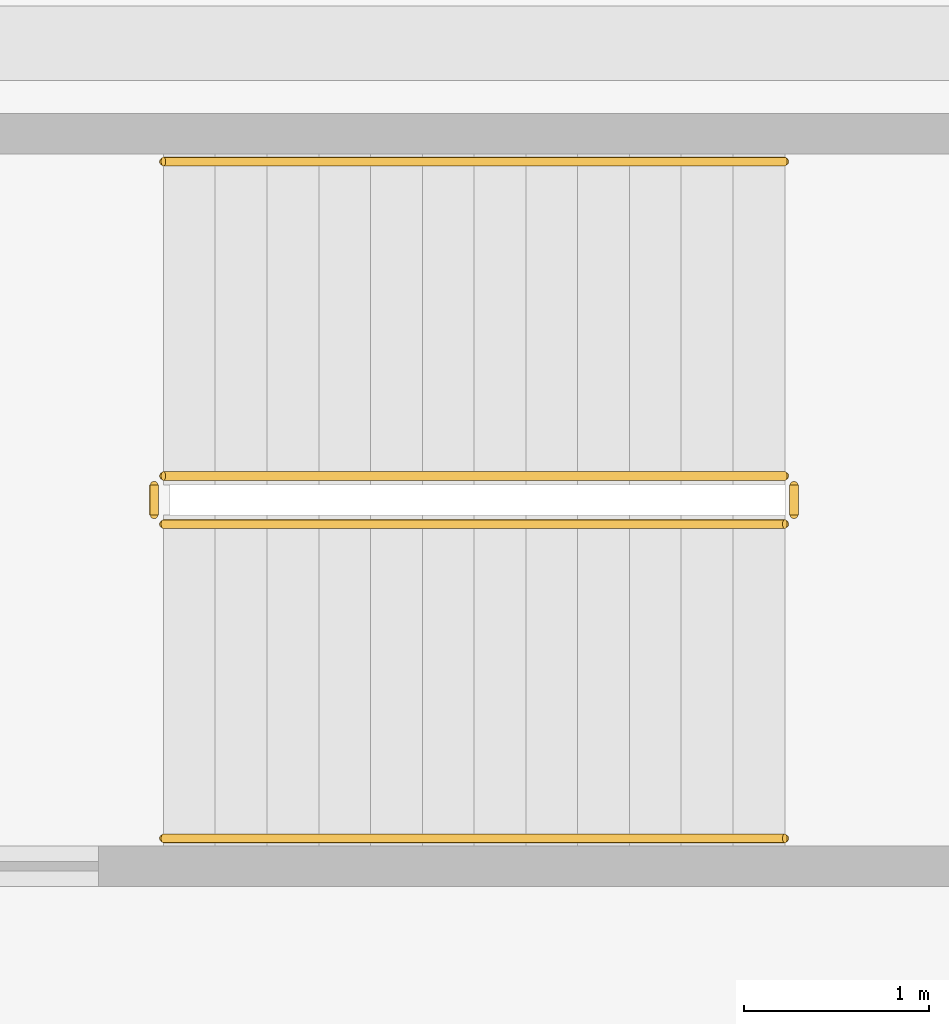
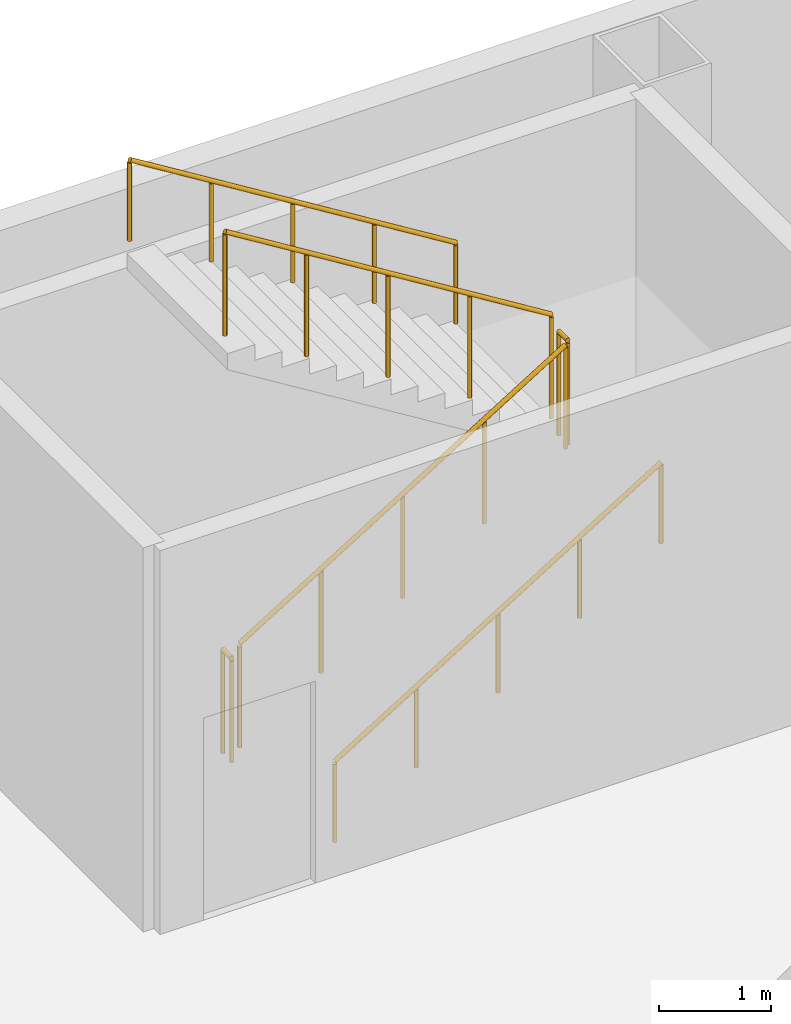
# One storey, part 26 of 26: 6 railings.
"""IFC4 building model written with IfcOpenShell, lengths in metres."""

import ifcopenshell
import ifcopenshell.guid

model = None  # the IFC model being written
_history = None  # IfcOwnerHistory: only IFC2X3 demands one
_inside = {}  # id of a spatial element -> (the spatial element, [elements in it])
_under = {}  # id of a project, library or spatial element -> (it, [spatial elements below it])
_declared = {}  # id of a project -> (the project, [libraries it declares])
_typed = {}  # id of a type object -> (the type object, [elements of that type])
_made_of = {}  # id of a material, layer set ... -> (it, [elements and type objects made of it])


def new_model(schema):
    """Start an empty IFC model of exactly this schema.

    Asked for "IFC4X3", IfcOpenShell would pick the latest addendum, in which some entities
    have other attributes; the version numbers below select the first issue.
    IFC2X3 requires an IfcOwnerHistory on every rooted entity: one is made here for all.
    """
    global model, _history
    if schema == "IFC4X3":
        model = ifcopenshell.file(schema_version=(4, 3, 0, 0))
    else:
        model = ifcopenshell.file(schema=schema)
    _inside.clear()
    _under.clear()
    _declared.clear()
    _typed.clear()
    _made_of.clear()
    _history = None
    if model.schema == "IFC2X3":
        org = make("IfcOrganization", Name="unknown")
        user = make(
            "IfcPersonAndOrganization",
            ThePerson=make("IfcPerson", FamilyName="unknown"),
            TheOrganization=org,
        )
        app = make(
            "IfcApplication",
            ApplicationDeveloper=org,
            Version="unknown",
            ApplicationFullName="unknown",
            ApplicationIdentifier="unknown",
        )
        _history = make(
            "IfcOwnerHistory",
            OwningUser=user,
            OwningApplication=app,
            ChangeAction="ADDED",
            CreationDate=0,
        )
    return model


def make(cls, **values):
    """One entity of the class cls with the attributes given. An attribute that is None is left unset."""
    return model.create_entity(
        cls, **{name: value for name, value in values.items() if value is not None}
    )


def rooted(cls, **values):
    """An entity with a GlobalId (a new one), such as an element, a storey or a relation."""
    return make(cls, GlobalId=ifcopenshell.guid.new(), OwnerHistory=_history, **values)


def si_unit(unit_type, name, prefix=None):
    """IfcSIUnit, for example si_unit("LENGTHUNIT", "METRE", prefix="MILLI")."""
    return make("IfcSIUnit", UnitType=unit_type, Prefix=prefix, Name=name)


def assignment(units):
    """IfcUnitAssignment: the units of a project."""
    return None if units is None else make("IfcUnitAssignment", Units=units)


def point(xyz):
    """IfcCartesianPoint."""
    return None if xyz is None else make("IfcCartesianPoint", Coordinates=xyz)


def direction(xyz):
    """IfcDirection."""
    return None if xyz is None else make("IfcDirection", DirectionRatios=xyz)


def frame(location, z_axis=None, x_axis=None):
    """IfcAxis2Placement3D, a coordinate frame: its origin and axes. An axis left out is left unset."""
    return make(
        "IfcAxis2Placement3D",
        Location=point(location),
        Axis=direction(z_axis),
        RefDirection=direction(x_axis),
    )


def frame_2d(location, x_axis=None):
    """IfcAxis2Placement2D, a coordinate frame in the plane: its origin and x axis."""
    return make(
        "IfcAxis2Placement2D", Location=point(location), RefDirection=direction(x_axis)
    )


def origin():
    """The frame at (0, 0, 0) with its axes left unset."""
    return frame((0.0, 0.0, 0.0))


def origin_2d():
    """The frame at (0, 0) in the plane with its x axis left unset."""
    return frame_2d((0.0, 0.0))


def place(relative_to, where):
    """IfcLocalPlacement: puts the frame where relative to a parent placement (None: the world)."""
    return make(
        "IfcLocalPlacement", PlacementRelTo=relative_to, RelativePlacement=where
    )


def context(
    kind, dimensions, precision=None, world=None, true_north=None, identifier=None
):
    """IfcGeometricRepresentationContext, for example the 3D "Model" context."""
    return make(
        "IfcGeometricRepresentationContext",
        ContextIdentifier=identifier,
        ContextType=kind,
        CoordinateSpaceDimension=dimensions,
        Precision=precision,
        WorldCoordinateSystem=world,
        TrueNorth=true_north,
    )


def subcontext(parent, identifier, kind, view, scale=None):
    """IfcGeometricRepresentationSubContext, for example "Body" below "Model"."""
    return make(
        "IfcGeometricRepresentationSubContext",
        ContextIdentifier=identifier,
        ContextType=kind,
        ParentContext=parent,
        TargetScale=scale,
        TargetView=view,
    )


def project(units=None, contexts=None):
    """IfcProject with its units and contexts."""
    return rooted(
        "IfcProject",
        Name="project",
        RepresentationContexts=contexts,
        UnitsInContext=assignment(units),
    )


def spatial(cls, under=None, at=None, **own):
    """A site, building, storey or space (cls), placed at a placement, below another one or the project."""
    s = rooted(cls, ObjectPlacement=at, **own)
    if under is not None:
        _under.setdefault(under.id(), (under, []))[1].append(s)
    return s


def profile(cls, at=None, kind="AREA", **sizes):
    """A parametric profile (cls). Its sizes go by their IFC names, for example OverallWidth=200.0."""
    return make(cls, ProfileType=kind, Position=at, **sizes)


def circle(**sizes):
    """IfcCircleProfileDef."""
    return profile("IfcCircleProfileDef", **sizes)


def extrude(swept, where, along, depth):
    """IfcExtrudedAreaSolid: the profile swept, set in the frame where, extruded along a direction by depth."""
    return make(
        "IfcExtrudedAreaSolid",
        SweptArea=swept,
        Position=where,
        ExtrudedDirection=direction(along),
        Depth=depth,
    )


def shape(context_of_items, identifier, shape_type, items):
    """IfcShapeRepresentation: the items that make up one representation, for example the "Body"."""
    return make(
        "IfcShapeRepresentation",
        ContextOfItems=context_of_items,
        RepresentationIdentifier=identifier,
        RepresentationType=shape_type,
        Items=items,
    )


def material(Name=None, Category=None):
    """IfcMaterial."""
    return make("IfcMaterial", Name=Name, Category=Category)


def made_of(thing, what):
    """Note that an element or type object is made of a material, layer set ...; save() writes the relation."""
    if what is not None:
        _made_of.setdefault(what.id(), (what, []))[1].append(thing)
    return thing


def type_object(cls, material=None, **own):
    """A type object (cls), such as IfcWallType, which elements share."""
    return made_of(rooted(cls, **own), material)


def element(
    cls,
    number,
    at=None,
    inside=None,
    cuts=None,
    type_object=None,
    material=None,
    context=None,
    identifier="Body",
    shape_type=None,
    held_by="IfcProductDefinitionShape",
    body=None,
    shapes=None,
    **own,
):
    """One element of the class cls, such as IfcWall. Its Tag is "e" and its number.

    at: its placement. inside: the storey or other place that contains it. cuts: it is an
    opening in that element (IfcRelVoidsElement). A single representation is given by context,
    identifier, shape_type and body (its items); several are given by shapes. held_by: the class
    of the entity that holds the representations. save() writes the other relations.
    """
    e = rooted(cls, Tag="e%d" % number, ObjectPlacement=at, **own)
    if body is not None:
        shapes = [shape(context, identifier, shape_type, body)]
    if shapes is not None:
        e.Representation = make(held_by, Representations=shapes)
    if inside is not None:
        _inside.setdefault(inside.id(), (inside, []))[1].append(e)
    if cuts is not None:
        rooted(
            "IfcRelVoidsElement", RelatingBuildingElement=cuts, RelatedOpeningElement=e
        )
    if type_object is not None:
        _typed.setdefault(type_object.id(), (type_object, []))[1].append(e)
    return made_of(e, material)


def aggregate(whole, parts):
    """IfcRelAggregates: a whole, such as a stair, and the parts it consists of."""
    return rooted("IfcRelAggregates", RelatingObject=whole, RelatedObjects=parts)


def save(model, path):
    """Write the relations noted so far, then the file.

    IfcRelAggregates (storeys below a building ...), IfcRelContainedInSpatialStructure (elements
    in a storey), IfcRelDefinesByType, IfcRelAssociatesMaterial and IfcRelDeclares: one each for
    every whole, place, type object, material and project.
    """
    for whole, parts in _under.values():
        aggregate(whole, parts)
    for where, things in _inside.values():
        rooted(
            "IfcRelContainedInSpatialStructure",
            RelatedElements=things,
            RelatingStructure=where,
        )
    for kind, things in _typed.values():
        rooted("IfcRelDefinesByType", RelatedObjects=things, RelatingType=kind)
    for what, things in _made_of.values():
        rooted("IfcRelAssociatesMaterial", RelatedObjects=things, RelatingMaterial=what)
    for by, libraries in _declared.values():
        rooted("IfcRelDeclares", RelatingContext=by, RelatedDefinitions=libraries)
    model.write(path)


model = new_model("IFC4")

# Units and contexts
model_context = context("Model", 3, precision=1e-05, world=origin(), true_north=direction((0.0, 1.0)))
body_context = subcontext(model_context, "Body", "Model", "MODEL_VIEW")
ifc_project = project(units=[si_unit("LENGTHUNIT", "METRE"), si_unit("AREAUNIT", "SQUARE_METRE"), si_unit("VOLUMEUNIT", "CUBIC_METRE"), si_unit("PLANEANGLEUNIT", "RADIAN"), si_unit("MASSUNIT", "GRAM", prefix="KILO")], contexts=[model_context])

# Site, building, storey
site_placement = place(None, origin())
site = spatial("IfcSite", under=ifc_project, at=site_placement, CompositionType="ELEMENT")
building_placement = place(site_placement, origin())
building = spatial("IfcBuilding", under=site, at=building_placement, Name="Kolveth Station Tower", CompositionType="ELEMENT")
storey_placement = place(building_placement, frame((0.0, 0.0, 4.5)))
storey = spatial("IfcBuildingStorey", under=building, at=storey_placement, Name="L01", CompositionType="ELEMENT", Elevation=4.5)

# Railings
ifc_material_1 = material(Name="Painted Steel S355 balustrade", Category="steel")
railing_type_1 = type_object("IfcRailingType", Name="Guard_GR2", PredefinedType="BALUSTRADE", material=ifc_material_1)
railing_1_placement = place(storey_placement, frame((57.75, 37.14990234375, 0.173095703125)))
element("IfcRailing", 1, at=railing_1_placement, inside=storey, type_object=railing_type_1, Name="L01 ST3 stair guard 1", PredefinedType="BALUSTRADE", context=body_context, shape_type="SweptSolid", body=[
    extrude(circle(Radius=0.02392578125, at=origin_2d()), frame((0.0, 0.0, 1.1259765625), z_axis=(0.850623216509, 0.0, 0.525775754039), x_axis=(0.0, 1.0, 0.0)), (0.0, 0.0, 1.0), 3.9501953125),
    extrude(circle(Radius=0.02099609375, at=origin_2d()), origin(), (0.0, 0.0, 1.0), 1.101806640625),
    extrude(circle(Radius=0.02099609375, at=origin_2d()), frame((0.840087890625, 0.0, 0.519287109375)), (0.0, 0.0, 1.0), 1.101806640625),
    extrude(circle(Radius=0.02099609375, at=origin_2d()), frame((1.68017578125, 0.0, 1.03857421875)), (0.0, 0.0, 1.0), 1.101806640625),
    extrude(circle(Radius=0.02099609375, at=origin_2d()), frame((2.52001953125, 0.0, 1.5576171875)), (0.0, 0.0, 1.0), 1.101806640625),
    extrude(circle(Radius=0.02099609375, at=origin_2d()), frame((3.360107421875, 0.0, 2.076904296875)), (0.0, 0.0, 1.0), 1.101806640625),
])
railing_2_placement = place(storey_placement, frame((61.159912109375, 37.199951171875, 2.25)))
element("IfcRailing", 2, at=railing_2_placement, inside=storey, type_object=railing_type_1, Name="L01 ST3 stair guard 2", PredefinedType="BALUSTRADE", context=body_context, shape_type="SweptSolid", body=[
    extrude(circle(Radius=0.02392578125, at=origin_2d()), frame((0.0, 0.0, 1.1259765625), z_axis=(0.0, 1.0, 0.0), x_axis=(-1.0, 0.0, 0.0)), (0.0, 0.0, 1.0), 0.16015625),
    extrude(circle(Radius=0.02099609375, at=origin_2d()), origin(), (0.0, 0.0, 1.0), 1.101806640625),
    extrude(circle(Radius=0.02099609375, at=origin_2d()), frame((0.0, 0.16015625, 0.0)), (0.0, 0.0, 1.0), 1.101806640625),
])
railing_3_placement = place(storey_placement, frame((61.110107421875, 37.409912109375, 2.423095703125)))
element("IfcRailing", 3, at=railing_3_placement, inside=storey, type_object=railing_type_1, Name="L01 ST3 stair guard 3", PredefinedType="BALUSTRADE", context=body_context, shape_type="SweptSolid", body=[
    extrude(circle(Radius=0.02392578125, at=origin_2d()), frame((0.0, 0.0, 1.1259765625), z_axis=(-0.850623216509, 0.0, 0.525775754039), x_axis=(0.0, -1.0, 0.0)), (0.0, 0.0, 1.0), 3.9501953125),
    extrude(circle(Radius=0.02099609375, at=origin_2d()), origin(), (0.0, 0.0, 1.0), 1.101806640625),
    extrude(circle(Radius=0.02099609375, at=origin_2d()), frame((-0.840087890625, 0.0, 0.519287109375)), (0.0, 0.0, 1.0), 1.101806640625),
    extrude(circle(Radius=0.02099609375, at=origin_2d()), frame((-1.68017578125, 0.0, 1.03857421875)), (0.0, 0.0, 1.0), 1.101806640625),
    extrude(circle(Radius=0.02099609375, at=origin_2d()), frame((-2.52001953125, 0.0, 1.5576171875)), (0.0, 0.0, 1.0), 1.101806640625),
    extrude(circle(Radius=0.02099609375, at=origin_2d()), frame((-3.360107421875, 0.0, 2.076904296875)), (0.0, 0.0, 1.0), 1.101806640625),
])
railing_4_placement = place(storey_placement, frame((57.699951171875, 37.199951171875, 0.0)))
element("IfcRailing", 4, at=railing_4_placement, inside=storey, type_object=railing_type_1, Name="L01 ST3 stair guard 4", PredefinedType="BALUSTRADE", context=body_context, shape_type="SweptSolid", body=[
    extrude(circle(Radius=0.02392578125, at=origin_2d()), frame((0.0, 0.0, 1.1259765625), z_axis=(0.0, 1.0, 0.0), x_axis=(-1.0, 0.0, 0.0)), (0.0, 0.0, 1.0), 0.16015625),
    extrude(circle(Radius=0.02099609375, at=origin_2d()), origin(), (0.0, 0.0, 1.0), 1.101806640625),
    extrude(circle(Radius=0.02099609375, at=origin_2d()), frame((0.0, 0.16015625, 0.0)), (0.0, 0.0, 1.0), 1.101806640625),
])
ifc_material_2 = material(Name="Brushed stainless steel", Category="steel")
railing_type_2 = type_object("IfcRailingType", Name="Handrail_HR1", PredefinedType="HANDRAIL", material=ifc_material_2)
railing_5_placement = place(storey_placement, frame((57.75, 35.449951171875, 0.173095703125)))
element("IfcRailing", 5, at=railing_5_placement, inside=storey, type_object=railing_type_2, Name="L01 ST3 stair handrail 1", PredefinedType="HANDRAIL", context=body_context, shape_type="SweptSolid", body=[
    extrude(circle(Radius=0.02392578125, at=origin_2d()), frame((0.0, 0.0, 0.8759765625), z_axis=(0.850623216509, 0.0, 0.525775754039), x_axis=(0.0, 1.0, 0.0)), (0.0, 0.0, 1.0), 3.9501953125),
    extrude(circle(Radius=0.02099609375, at=origin_2d()), origin(), (0.0, 0.0, 1.0), 0.851806640625),
    extrude(circle(Radius=0.02099609375, at=origin_2d()), frame((0.840087890625, 0.0, 0.519287109375)), (0.0, 0.0, 1.0), 0.851806640625),
    extrude(circle(Radius=0.02099609375, at=origin_2d()), frame((1.68017578125, 0.0, 1.03857421875)), (0.0, 0.0, 1.0), 0.851806640625),
    extrude(circle(Radius=0.02099609375, at=origin_2d()), frame((2.52001953125, 0.0, 1.5576171875)), (0.0, 0.0, 1.0), 0.851806640625),
    extrude(circle(Radius=0.02099609375, at=origin_2d()), frame((3.360107421875, 0.0, 2.076904296875)), (0.0, 0.0, 1.0), 0.851806640625),
])
railing_6_placement = place(storey_placement, frame((61.110107421875, 39.110107421875, 2.423095703125)))
element("IfcRailing", 6, at=railing_6_placement, inside=storey, type_object=railing_type_2, Name="L01 ST3 stair handrail 2", PredefinedType="HANDRAIL", context=body_context, shape_type="SweptSolid", body=[
    extrude(circle(Radius=0.02392578125, at=origin_2d()), frame((0.0, 0.0, 0.8759765625), z_axis=(-0.850623216509, 0.0, 0.525775754039), x_axis=(0.0, -1.0, 0.0)), (0.0, 0.0, 1.0), 3.9501953125),
    extrude(circle(Radius=0.02099609375, at=origin_2d()), origin(), (0.0, 0.0, 1.0), 0.851806640625),
    extrude(circle(Radius=0.02099609375, at=origin_2d()), frame((-0.840087890625, 0.0, 0.519287109375)), (0.0, 0.0, 1.0), 0.851806640625),
    extrude(circle(Radius=0.02099609375, at=origin_2d()), frame((-1.68017578125, 0.0, 1.03857421875)), (0.0, 0.0, 1.0), 0.851806640625),
    extrude(circle(Radius=0.02099609375, at=origin_2d()), frame((-2.52001953125, 0.0, 1.5576171875)), (0.0, 0.0, 1.0), 0.851806640625),
    extrude(circle(Radius=0.02099609375, at=origin_2d()), frame((-3.360107421875, 0.0, 2.076904296875)), (0.0, 0.0, 1.0), 0.851806640625),
])

save(model, "model.ifc")
